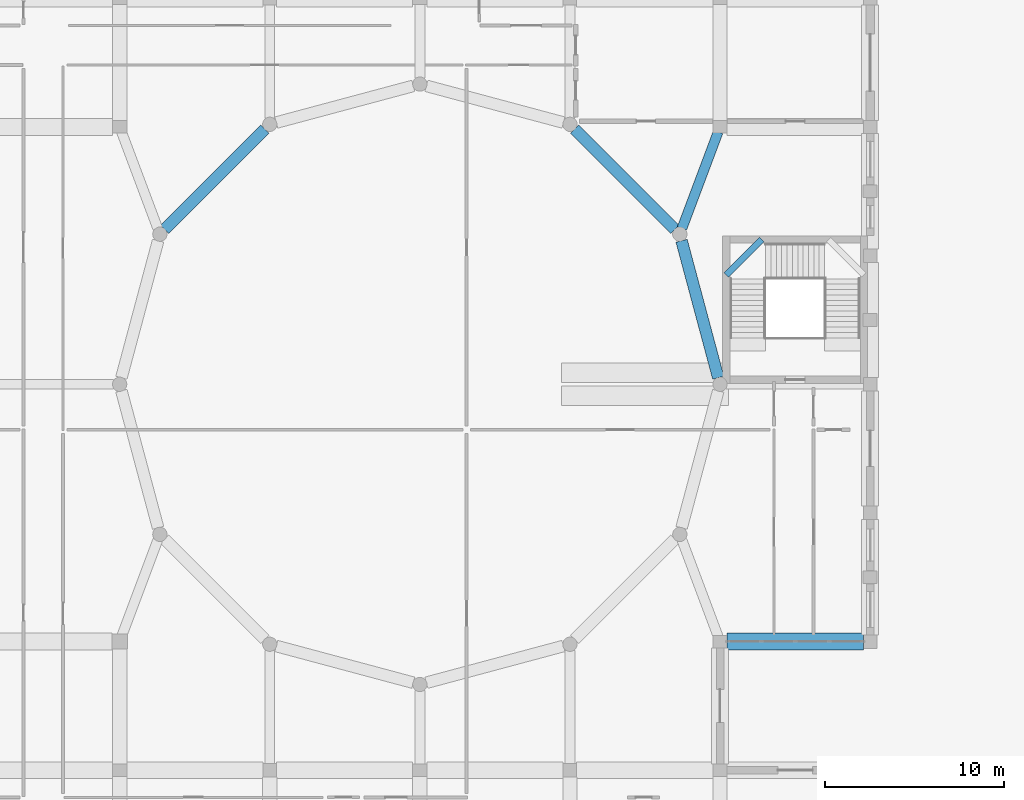
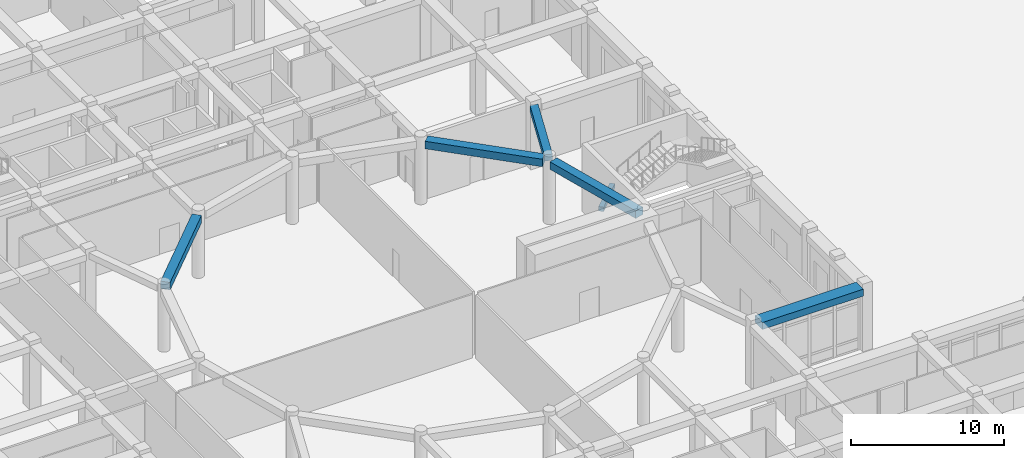
# One storey, part 26 of 84: 6 beams.
"""IFC4 building model written with IfcOpenShell, lengths in metres."""

from ifc_helpers import new_model, si_unit, derived_unit, direction, frame, origin, origin_2d, place, context, subcontext, project, spatial, rectangle, extrude, material, material_profile, profile_set, type_object, element, save


model = new_model("IFC4")

# Units and contexts
model_context = context("Model", 3, precision=1e-05, world=origin(), true_north=direction((0.0, 1.0)))
body_context = subcontext(model_context, "Body", "Model", "MODEL_VIEW")
ifc_project = project(units=[si_unit("LENGTHUNIT", "METRE"), si_unit("AREAUNIT", "SQUARE_METRE"), si_unit("VOLUMEUNIT", "CUBIC_METRE"), si_unit("PLANEANGLEUNIT", "RADIAN"), si_unit("MASSUNIT", "GRAM", prefix="KILO"), derived_unit("THERMALTRANSMITTANCEUNIT", [(si_unit("POWERUNIT", "WATT"), 1), (si_unit("LENGTHUNIT", "METRE"), -2), (si_unit("THERMODYNAMICTEMPERATUREUNIT", "KELVIN"), -1)])], contexts=[model_context])

# Site, building, storey
site_placement = place(None, origin())
site = spatial("IfcSite", under=ifc_project, at=site_placement, CompositionType="ELEMENT")
building_placement = place(site_placement, origin())
building = spatial("IfcBuilding", under=site, at=building_placement, Name="Veybourne Emporium", CompositionType="ELEMENT")
storey_placement = place(building_placement, origin())
storey = spatial("IfcBuildingStorey", under=building, at=storey_placement, Name="L00", CompositionType="ELEMENT", Elevation=0.0)

# Beams
ifc_material = material(Name="Concrete C32/40", Category="concrete")
ifc_material_profile_1 = material_profile(ifc_material, rectangle(XDim=0.35009765625, YDim=0.35009765625, at=origin_2d()), Name="RC 350x350")
ifc_profile_set_1 = profile_set([ifc_material_profile_1], Name="Concrete C32/40")
beam_type_1 = type_object("IfcBeamType", Name="LandingBeam_LB-01", PredefinedType="BEAM", material=ifc_profile_set_1)
beam_1_placement = place(storey_placement, frame((92.75, 56.52001953125, 1.425048828125), z_axis=(0.707106781187, 0.707106781187, 0.0), x_axis=(-0.707106781187, 0.707106781187, 0.0)))
element("IfcBeam", 1, at=beam_1_placement, inside=storey, type_object=beam_type_1, Name="L00 ST-07 landing 1 support beam", PredefinedType="BEAM", context=body_context, shape_type="SweptSolid", body=[
    extrude(rectangle(XDim=0.35009765625, YDim=0.35009765625, at=origin_2d()), origin(), (0.0, 0.0, 1.0), 2.800048828125),
])
ifc_material_profile_2 = material_profile(ifc_material, rectangle(XDim=0.949951171875, YDim=0.550048828125, at=origin_2d()), Name="RC 950x550")
ifc_profile_set_2 = profile_set([ifc_material_profile_2], Name="Concrete C32/40")
beam_type_2 = type_object("IfcBeamType", Name="RCBeam_EB-01", PredefinedType="SPANDREL", material=ifc_profile_set_2)
beam_2_placement = place(storey_placement, frame((92.800048828125, 36.0, 4.804931640625), z_axis=(1.0, 0.0, 0.0), x_axis=(0.0, 1.0, 0.0)))
element("IfcBeam", 2, at=beam_2_placement, inside=storey, type_object=beam_type_2, Name="L00 X-grid beam EB-01 (11,5)", PredefinedType="SPANDREL", context=body_context, shape_type="SweptSolid", body=[
    extrude(rectangle(XDim=0.949951171875, YDim=0.550048828125, at=origin_2d()), origin(), (0.0, 0.0, 1.0), 7.625),
])
ifc_material_profile_3 = material_profile(ifc_material, rectangle(XDim=0.64990234375, YDim=0.60009765625, at=origin_2d()), Name="RC 650x600")
ifc_profile_set_3 = profile_set([ifc_material_profile_3], Name="Concrete C32/40")
beam_type_3 = type_object("IfcBeamType", Name="RCBeam_EB-02", PredefinedType="BEAM", material=ifc_profile_set_3)
for number, where, z_axis, x_axis, name in (
    (3, (92.3017578125, 50.76708984375, 4.780029296875), (-0.258838083332, 0.96592072481, 0.0), (-0.96592072481, -0.258838083332, 0.0), "Atrium ring beam EB-02 L00-01"),
    (4, (89.880615234375, 59.068603515625, 4.780029296875), (-0.707106781187, 0.707106781187, 0.0), (-0.707106781187, -0.707106781187, 0.0), "Atrium ring beam EB-02 L00-02"),
    (5, (66.931396484375, 64.680419921875, 4.780029296875), (-0.707106781187, -0.707106781187, 0.0), (0.707106781187, -0.707106781187, 0.0), "Atrium ring beam EB-02 L00-05"),
):
    element("IfcBeam", number, at=place(storey_placement, frame(where, z_axis=z_axis, x_axis=x_axis)), inside=storey, type_object=beam_type_3, Name=name, PredefinedType="BEAM", context=body_context, shape_type="SweptSolid", body=[
        extrude(rectangle(XDim=0.64990234375, YDim=0.60009765625, at=origin_2d()), origin(), (0.0, 0.0, 1.0), 7.936279296875),
    ])
ifc_material_profile_4 = material_profile(ifc_material, rectangle(XDim=0.550048828125, YDim=0.5, at=origin_2d()), Name="RC 550x500")
ifc_profile_set_4 = profile_set([ifc_material_profile_4], Name="Concrete C32/40")
beam_type_4 = type_object("IfcBeamType", Name="RCBeam_TB-01", PredefinedType="BEAM", material=ifc_profile_set_4)
beam_3_placement = place(storey_placement, frame((90.2685546875, 59.118408203125, 4.830078125), z_axis=(0.351234565667, 0.936287498518, 0.0), x_axis=(-0.936287498518, 0.351234565667, 0.0)))
element("IfcBeam", 6, at=beam_3_placement, inside=storey, type_object=beam_type_4, Name="Atrium radial tie beam L00-02", PredefinedType="BEAM", context=body_context, shape_type="SweptSolid", body=[
    extrude(rectangle(XDim=0.550048828125, YDim=0.5, at=origin_2d()), origin(), (0.0, 0.0, 1.0), 5.7783203125),
])

save(model, "model.ifc")
